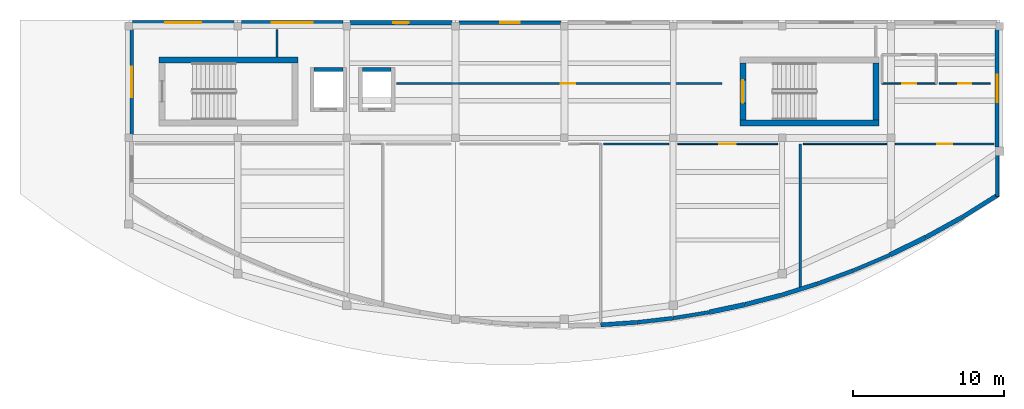
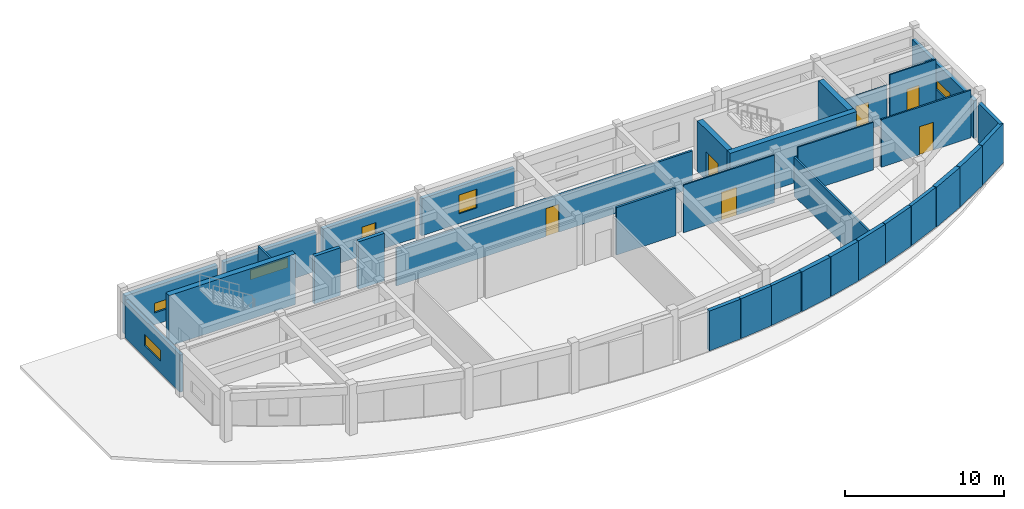
# One storey, part 3 of 6: 33 walls, 6 doors, 6 windows, 12 openings.
"""IFC4 building model written with IfcOpenShell, lengths in metres."""

from ifc_helpers import new_model, si_unit, direction, frame, frame_2d, origin, place, context, subcontext, project, spatial, rectangle, extrude, material, layer, layer_set, type_object, element, fill, save


model = new_model("IFC4")

# Units and contexts
model_context = context("Model", 3, precision=1e-05, world=origin(), true_north=direction((0.0, 1.0)))
body_context = subcontext(model_context, "Body", "Model", "MODEL_VIEW")
ifc_project = project(units=[si_unit("LENGTHUNIT", "METRE"), si_unit("AREAUNIT", "SQUARE_METRE"), si_unit("VOLUMEUNIT", "CUBIC_METRE"), si_unit("PLANEANGLEUNIT", "RADIAN"), si_unit("MASSUNIT", "GRAM", prefix="KILO")], contexts=[model_context])

# Site, building, storey
site_placement = place(None, origin())
site = spatial("IfcSite", under=ifc_project, at=site_placement, CompositionType="ELEMENT")
building_placement = place(site_placement, origin())
building = spatial("IfcBuilding", under=site, at=building_placement, Name="Brisavento Harbour Community Centre", CompositionType="ELEMENT")
storey_placement = place(building_placement, frame((0.0, 0.0, 20.699951171875)))
storey = spatial("IfcBuildingStorey", under=building, at=storey_placement, Name="L05", CompositionType="ELEMENT", Elevation=20.699951171875)

# Walls
ifc_material_1 = material(Name="Concrete C40/50", Category="concrete")
ifc_layer_1 = layer(ifc_material_1, 0.39990234375, Name="Concrete C40/50")
ifc_layer_set_1 = layer_set([ifc_layer_1], Name="Concrete C40/50")
wall_type_1 = type_object("IfcWallType", Name="WL-CORE-400", PredefinedType="SHEAR", material=ifc_layer_set_1)
for number, where, z_axis, x_axis, name in (
    (1, (126.39990234375, 20.14990234375, 0.0), (0.0, 0.0, 1.0), (-1.0, 0.0, 0.0), "L05 core C3A shear wall R"),
    (2, (155.60009765625, 16.0, 0.0), (0.0, 0.0, 1.0), (1.0, 0.0, 0.0), "L05 core C3B shear wall L"),
):
    element("IfcWall", number, at=place(storey_placement, frame(where, z_axis=z_axis, x_axis=x_axis)), inside=storey, type_object=wall_type_1, Name=name, PredefinedType="SHEAR", context=body_context, shape_type="SweptSolid", body=[
        extrude(rectangle(XDim=9.199951171875, YDim=0.39990234375, at=frame_2d((4.60009765625, 0.0))), origin(), (0.0, 0.0, 1.0), 3.900146484375),
    ])
wall_1_placement = place(storey_placement, frame((164.60009765625, 16.199951171875, 0.0), z_axis=(0.0, 0.0, 1.0), x_axis=(0.0, 1.0, 0.0)))
element("IfcWall", 3, at=wall_1_placement, inside=storey, type_object=wall_type_1, Name="L05 core C3B shear wall F", PredefinedType="SHEAR", context=body_context, shape_type="SweptSolid", body=[
    extrude(rectangle(XDim=3.75, YDim=0.39990234375, at=frame_2d((1.875, 0.0))), origin(), (0.0, 0.0, 1.0), 3.900146484375),
])

# Wall, opening, door
wall_2_placement = place(storey_placement, frame((155.800048828125, 19.949951171875, 0.0), z_axis=(0.0, 0.0, 1.0), x_axis=(0.0, -1.0, 0.0)))
wall_2 = element("IfcWall", 4, at=wall_2_placement, inside=storey, type_object=wall_type_1, Name="L05 core C3B shear wall N", PredefinedType="SHEAR", context=body_context, shape_type="SweptSolid", body=[
    extrude(rectangle(XDim=3.75, YDim=0.39990234375, at=frame_2d((1.875, 0.0))), origin(), (0.0, 0.0, 1.0), 3.900146484375),
])
opening_1_placement = place(wall_2_placement, frame((1.125, 0.0, 0.0)))
opening_1 = element("IfcOpeningElement", 5, at=opening_1_placement, cuts=wall_2, Name="Opening SD-01", PredefinedType="OPENING", context=body_context, shape_type="SweptSolid", body=[
    extrude(rectangle(XDim=1.5, YDim=2.199951171875, at=frame_2d((0.75, 1.10009765625))), frame((0.0, 0.2099609375, 0.0), z_axis=(0.0, -1.0, 0.0), x_axis=(1.0, 0.0, 0.0)), (0.0, 0.0, 1.0), 0.419921875),
])
ifc_material_2 = material(Name="Fire-rated steel door assembly", Category="steel")
door_type_1 = type_object("IfcDoorType", Name="DR-STAIR-150x220", OperationType="NOTDEFINED", PredefinedType="DOOR", material=ifc_material_2)
door_1_placement = place(opening_1_placement, origin())
door_1 = element("IfcDoor", 6, at=door_1_placement, inside=storey, type_object=door_type_1, Name="L05 exit stair ST-05 fire door", OperationType="SINGLE_SWING_RIGHT", OverallHeight=2.199951171875, OverallWidth=1.5, PredefinedType="DOOR", context=body_context, shape_type="SweptSolid", body=[
    extrude(rectangle(XDim=1.5, YDim=2.199951171875, at=frame_2d((0.75, 1.10009765625))), frame((0.0, 0.02490234375, 0.0), z_axis=(0.0, -1.0, 0.0), x_axis=(1.0, 0.0, 0.0)), (0.0, 0.0, 1.0), 0.050048828125),
])
fill(opening_1, door_1)

# Walls
ifc_material_3 = material(Name="Terracotta masonry unit", Category="masonry")
ifc_layer_2 = layer(ifc_material_3, 0.239990234375, Name="Terracotta masonry unit")
ifc_layer_set_2 = layer_set([ifc_layer_2], Name="Terracotta masonry unit")
wall_type_2 = type_object("IfcWallType", Name="WL-EXT-240", PredefinedType="SOLIDWALL", material=ifc_layer_set_2)
wall_3_placement = place(storey_placement, frame((153.552978515625, 3.468505859375, 0.0), z_axis=(0.0, 0.0, 1.0), x_axis=(-0.986852722913, -0.161622100221, 0.0)))
element("IfcWall", 7, at=wall_3_placement, inside=storey, type_object=wall_type_2, Name="L05 V3 exterior wall 0358", PredefinedType="SOLIDWALL", context=body_context, shape_type="SweptSolid", body=[
    extrude(rectangle(XDim=2.395751953125, YDim=0.239990234375, at=frame_2d((1.19775390625, 0.0))), origin(), (0.0, 0.0, 1.0), 3.06005859375),
])
wall_4_placement = place(storey_placement, frame((165.5126953125, 7.2568359375, 0.0), z_axis=(0.0, 0.0, 1.0), x_axis=(-0.919781821174, -0.392430123001, 0.0)))
element("IfcWall", 8, at=wall_4_placement, inside=storey, type_object=wall_type_2, Name="L05 V3 exterior wall 0363", PredefinedType="SOLIDWALL", context=body_context, shape_type="SweptSolid", body=[
    extrude(rectangle(XDim=2.572998046875, YDim=0.239990234375, at=frame_2d((1.28662109375, 0.0))), origin(), (0.0, 0.0, 1.0), 3.06005859375),
])
wall_5_placement = place(storey_placement, frame((172.6201171875, 13.867919921875, 0.0), z_axis=(0.0, 0.0, 1.0), x_axis=(0.0, -1.0, 0.0)))
element("IfcWall", 9, at=wall_5_placement, inside=storey, type_object=wall_type_2, Name="L05 V3 exterior wall 0368", PredefinedType="SOLIDWALL", context=body_context, shape_type="SweptSolid", body=[
    extrude(rectangle(XDim=2.74609375, YDim=0.239990234375, at=frame_2d((1.373046875, 0.0))), origin(), (0.0, 0.0, 1.0), 3.06005859375),
])

# Wall, opening, window
wall_6_placement = place(storey_placement, frame((115.3798828125, 15.235107421875, 0.0), z_axis=(0.0, 0.0, 1.0), x_axis=(0.0, 1.0, 0.0)))
wall_6 = element("IfcWall", 10, at=wall_6_placement, inside=storey, type_object=wall_type_2, Name="L05 V3 exterior wall 0378", PredefinedType="SOLIDWALL", context=body_context, shape_type="SweptSolid", body=[
    extrude(rectangle(XDim=6.929931640625, YDim=0.239990234375, at=frame_2d((3.46484375, 0.0))), origin(), (0.0, 0.0, 1.0), 2.860107421875),
])
opening_2_placement = place(wall_6_placement, frame((2.465087890625, 0.0, 0.89990234375)))
opening_2 = element("IfcOpeningElement", 11, at=opening_2_placement, cuts=wall_6, Name="Opening W-36", PredefinedType="OPENING", context=body_context, shape_type="SweptSolid", body=[
    extrude(rectangle(XDim=2.0, YDim=0.85009765625, at=frame_2d((1.0, 0.425048828125))), frame((0.0, 0.1298828125, 0.0), z_axis=(0.0, -1.0, 0.0), x_axis=(1.0, 0.0, 0.0)), (0.0, 0.0, 1.0), 0.260009765625),
])
ifc_material_4 = material(Name="Solar-control laminated low-E glass", Category="glass")
window_type_1 = type_object("IfcWindowType", Name="WIN-CAS-36", PartitioningType="SINGLE_PANEL", PredefinedType="WINDOW", material=ifc_material_4)
window_1_placement = place(opening_2_placement, origin())
window_1 = element("IfcWindow", 12, at=window_1_placement, inside=storey, type_object=window_type_1, Name="L05 V3 impact casement window 0216", OverallHeight=0.85009765625, OverallWidth=2.0, PartitioningType="SINGLE_PANEL", PredefinedType="WINDOW", context=body_context, shape_type="SweptSolid", body=[
    extrude(rectangle(XDim=2.0, YDim=0.85009765625, at=frame_2d((1.0, 0.425048828125))), frame((0.0, 0.030029296875, 0.0), z_axis=(0.0, -1.0, 0.0), x_axis=(1.0, 0.0, 0.0)), (0.0, 0.0, 1.0), 0.06005859375),
])
fill(opening_2, window_1)

# Walls
ifc_layer_3 = layer(ifc_material_3, 0.260009765625, Name="Terracotta masonry unit")
ifc_layer_set_3 = layer_set([ifc_layer_3], Name="Terracotta masonry unit")
wall_type_3 = type_object("IfcWallType", Name="WL-EXT-260", PredefinedType="SOLIDWALL", material=ifc_layer_set_3)
wall_7_placement = place(storey_placement, frame((151.161376953125, 3.07763671875, 0.0), z_axis=(0.0, 0.0, 1.0), x_axis=(-0.993319690017, -0.115394945402, 0.0)))
element("IfcWall", 13, at=wall_7_placement, inside=storey, type_object=wall_type_3, Name="L05 V3 exterior wall 0357", PredefinedType="SOLIDWALL", context=body_context, shape_type="SweptSolid", body=[
    extrude(rectangle(XDim=2.380126953125, YDim=0.260009765625, at=frame_2d((1.18994140625, 0.0))), origin(), (0.0, 0.0, 1.0), 3.06005859375),
])
wall_8_placement = place(storey_placement, frame((163.120849609375, 6.237060546875, 0.0), z_axis=(0.0, 0.0, 1.0), x_axis=(-0.938146303957, -0.346239097117, 0.0)))
element("IfcWall", 14, at=wall_8_placement, inside=storey, type_object=wall_type_3, Name="L05 V3 exterior wall 0362", PredefinedType="SOLIDWALL", context=body_context, shape_type="SweptSolid", body=[
    extrude(rectangle(XDim=2.522216796875, YDim=0.260009765625, at=frame_2d((1.26123046875, 0.0))), origin(), (0.0, 0.0, 1.0), 3.06005859375),
])

# Wall, opening, window
wall_9_placement = place(storey_placement, frame((172.6201171875, 22.1650390625, 0.0), z_axis=(0.0, 0.0, 1.0), x_axis=(0.0, -1.0, 0.0)))
wall_9 = element("IfcWall", 15, at=wall_9_placement, inside=storey, type_object=wall_type_3, Name="L05 V3 exterior wall 0367", PredefinedType="SOLIDWALL", context=body_context, shape_type="SweptSolid", body=[
    extrude(rectangle(XDim=7.777099609375, YDim=0.260009765625, at=frame_2d((3.888671875, 0.0))), origin(), (0.0, 0.0, 1.0), 2.900146484375),
])
opening_3_placement = place(wall_9_placement, frame((2.988525390625, 0.0, 0.89990234375)))
opening_3 = element("IfcOpeningElement", 16, at=opening_3_placement, cuts=wall_9, Name="Opening W-25", PredefinedType="OPENING", context=body_context, shape_type="SweptSolid", body=[
    extrude(rectangle(XDim=1.800048828125, YDim=0.75, at=frame_2d((0.89990234375, 0.375))), frame((0.0, 0.14013671875, 0.0), z_axis=(0.0, -1.0, 0.0), x_axis=(1.0, 0.0, 0.0)), (0.0, 0.0, 1.0), 0.280029296875),
])
window_type_2 = type_object("IfcWindowType", Name="WIN-CAS-25", PartitioningType="SINGLE_PANEL", PredefinedType="WINDOW", material=ifc_material_4)
window_2_placement = place(opening_3_placement, origin())
window_2 = element("IfcWindow", 17, at=window_2_placement, inside=storey, type_object=window_type_2, Name="L05 V3 impact casement window 0205", OverallHeight=0.75, OverallWidth=1.800048828125, PartitioningType="SINGLE_PANEL", PredefinedType="WINDOW", context=body_context, shape_type="SweptSolid", body=[
    extrude(rectangle(XDim=1.800048828125, YDim=0.75, at=frame_2d((0.89990234375, 0.375))), frame((0.0, 0.030029296875, 0.0), z_axis=(0.0, -1.0, 0.0), x_axis=(1.0, 0.0, 0.0)), (0.0, 0.0, 1.0), 0.06005859375),
])
fill(opening_3, window_2)

wall_10_placement = place(storey_placement, frame((137.034912109375, 22.6201171875, 0.0), z_axis=(0.0, 0.0, 1.0), x_axis=(1.0, 0.0, 0.0)))
wall_10 = element("IfcWall", 18, at=wall_10_placement, inside=storey, type_object=wall_type_3, Name="L05 V3 exterior wall 0372", PredefinedType="SOLIDWALL", context=body_context, shape_type="SweptSolid", body=[
    extrude(rectangle(XDim=6.72998046875, YDim=0.260009765625, at=frame_2d((3.364990234375, 0.0))), origin(), (0.0, 0.0, 1.0), 2.860107421875),
])
opening_4_placement = place(wall_10_placement, frame((2.715087890625, 0.0, 0.75)))
opening_4 = element("IfcOpeningElement", 19, at=opening_4_placement, cuts=wall_10, Name="Opening W-30", PredefinedType="OPENING", context=body_context, shape_type="SweptSolid", body=[
    extrude(rectangle(XDim=1.300048828125, YDim=1.449951171875, at=frame_2d((0.64990234375, 0.72509765625))), frame((0.0, 0.14013671875, 0.0), z_axis=(0.0, -1.0, 0.0), x_axis=(1.0, 0.0, 0.0)), (0.0, 0.0, 1.0), 0.280029296875),
])
window_type_3 = type_object("IfcWindowType", Name="WIN-CAS-30", PartitioningType="SINGLE_PANEL", PredefinedType="WINDOW", material=ifc_material_4)
window_3_placement = place(opening_4_placement, origin())
window_3 = element("IfcWindow", 20, at=window_3_placement, inside=storey, type_object=window_type_3, Name="L05 V3 impact casement window 0210", OverallHeight=1.449951171875, OverallWidth=1.300048828125, PartitioningType="SINGLE_PANEL", PredefinedType="WINDOW", context=body_context, shape_type="SweptSolid", body=[
    extrude(rectangle(XDim=1.300048828125, YDim=1.449951171875, at=frame_2d((0.64990234375, 0.72509765625))), frame((0.0, 0.030029296875, 0.0), z_axis=(0.0, -1.0, 0.0), x_axis=(1.0, 0.0, 0.0)), (0.0, 0.0, 1.0), 0.06005859375),
])
fill(opening_4, window_3)

# Walls
ifc_material_5 = material(Name="Precast concrete C40/50", Category="concrete")
ifc_layer_4 = layer(ifc_material_5, 0.280029296875, Name="Precast concrete C40/50")
ifc_layer_set_4 = layer_set([ifc_layer_4], Name="Precast concrete C40/50")
wall_type_4 = type_object("IfcWallType", Name="WL-EXT-280", PredefinedType="SOLIDWALL", material=ifc_layer_set_4)
wall_11_placement = place(storey_placement, frame((148.76953125, 2.80029296875, 0.0), z_axis=(0.0, 0.0, 1.0), x_axis=(-0.997600485651, -0.069233453099, 0.0)))
element("IfcWall", 21, at=wall_11_placement, inside=storey, type_object=wall_type_4, Name="L05 V3 exterior wall 0356", PredefinedType="SOLIDWALL", context=body_context, shape_type="SweptSolid", body=[
    extrude(rectangle(XDim=2.36962890625, YDim=0.280029296875, at=frame_2d((1.184814453125, 0.0))), origin(), (0.0, 0.0, 1.0), 3.06005859375),
])
wall_12_placement = place(storey_placement, frame((160.728759765625, 5.35498046875, 0.0), z_axis=(0.0, 0.0, 1.0), x_axis=(-0.953884231724, -0.30017473656, 0.0)))
element("IfcWall", 22, at=wall_12_placement, inside=storey, type_object=wall_type_4, Name="L05 V3 exterior wall 0361", PredefinedType="SOLIDWALL", context=body_context, shape_type="SweptSolid", body=[
    extrude(rectangle(XDim=2.479736328125, YDim=0.280029296875, at=frame_2d((1.23974609375, 0.0))), origin(), (0.0, 0.0, 1.0), 3.06005859375),
])
wall_13_placement = place(storey_placement, frame((172.689208984375, 11.24658203125, 0.0), z_axis=(0.0, 0.0, 1.0), x_axis=(-0.847458290903, -0.530861983174, 0.0)))
element("IfcWall", 23, at=wall_13_placement, inside=storey, type_object=wall_type_4, Name="L05 V3 exterior wall 0366", PredefinedType="SOLIDWALL", context=body_context, shape_type="SweptSolid", body=[
    extrude(rectangle(XDim=2.796142578125, YDim=0.280029296875, at=frame_2d((1.39794921875, 0.0))), origin(), (0.0, 0.0, 1.0), 3.06005859375),
])

# Wall, opening, window
wall_14_placement = place(storey_placement, frame((129.8349609375, 22.6201171875, 0.0), z_axis=(0.0, 0.0, 1.0), x_axis=(1.0, 0.0, 0.0)))
wall_14 = element("IfcWall", 24, at=wall_14_placement, inside=storey, type_object=wall_type_4, Name="L05 V3 exterior wall 0371", PredefinedType="SOLIDWALL", context=body_context, shape_type="SweptSolid", body=[
    extrude(rectangle(XDim=6.72998046875, YDim=0.280029296875, at=frame_2d((3.364990234375, 0.0))), origin(), (0.0, 0.0, 1.0), 3.06005859375),
])
opening_5_placement = place(wall_14_placement, frame((2.864990234375, 0.0, 0.75)))
opening_5 = element("IfcOpeningElement", 25, at=opening_5_placement, cuts=wall_14, Name="Opening W-29", PredefinedType="OPENING", context=body_context, shape_type="SweptSolid", body=[
    extrude(rectangle(XDim=1.0, YDim=1.449951171875, at=frame_2d((0.5, 0.72509765625))), frame((0.0, 0.14990234375, 0.0), z_axis=(0.0, -1.0, 0.0), x_axis=(1.0, 0.0, 0.0)), (0.0, 0.0, 1.0), 0.300048828125),
])
window_type_4 = type_object("IfcWindowType", Name="WIN-CAS-29", PartitioningType="SINGLE_PANEL", PredefinedType="WINDOW", material=ifc_material_4)
window_4_placement = place(opening_5_placement, origin())
window_4 = element("IfcWindow", 26, at=window_4_placement, inside=storey, type_object=window_type_4, Name="L05 V3 impact casement window 0209", OverallHeight=1.449951171875, OverallWidth=1.0, PartitioningType="SINGLE_PANEL", PredefinedType="WINDOW", context=body_context, shape_type="SweptSolid", body=[
    extrude(rectangle(XDim=1.0, YDim=1.449951171875, at=frame_2d((0.5, 0.72509765625))), frame((0.0, 0.030029296875, 0.0), z_axis=(0.0, -1.0, 0.0), x_axis=(1.0, 0.0, 0.0)), (0.0, 0.0, 1.0), 0.06005859375),
])
fill(opening_5, window_4)

# Walls
ifc_material_6 = material(Name="Concrete C35/45", Category="concrete")
ifc_layer_5 = layer(ifc_material_6, 0.300048828125, Name="Concrete C35/45")
ifc_layer_set_5 = layer_set([ifc_layer_5], Name="Concrete C35/45")
wall_type_5 = type_object("IfcWallType", Name="WL-EXT-300", PredefinedType="SOLIDWALL", material=ifc_layer_set_5)
wall_15_placement = place(storey_placement, frame((158.3369140625, 4.60302734375, 0.0), z_axis=(0.0, 0.0, 1.0), x_axis=(-0.967257930518, -0.253795381852, 0.0)))
element("IfcWall", 27, at=wall_15_placement, inside=storey, type_object=wall_type_5, Name="L05 V3 exterior wall 0360", PredefinedType="SOLIDWALL", context=body_context, shape_type="SweptSolid", body=[
    extrude(rectangle(XDim=2.4453125, YDim=0.300048828125, at=frame_2d((1.22265625, 0.0))), origin(), (0.0, 0.0, 1.0), 3.06005859375),
])
wall_16_placement = place(storey_placement, frame((170.297119140625, 9.748779296875, 0.0), z_axis=(0.0, 0.0, 1.0), x_axis=(-0.874616129919, -0.484816073666, 0.0)))
element("IfcWall", 28, at=wall_16_placement, inside=storey, type_object=wall_type_5, Name="L05 V3 exterior wall 0365", PredefinedType="SOLIDWALL", context=body_context, shape_type="SweptSolid", body=[
    extrude(rectangle(XDim=2.708251953125, YDim=0.300048828125, at=frame_2d((1.35400390625, 0.0))), origin(), (0.0, 0.0, 1.0), 3.06005859375),
])

# Wall, opening, window
wall_17_placement = place(storey_placement, frame((122.635009765625, 22.6201171875, 0.0), z_axis=(0.0, 0.0, 1.0), x_axis=(1.0, 0.0, 0.0)))
wall_17 = element("IfcWall", 29, at=wall_17_placement, inside=storey, type_object=wall_type_5, Name="L05 V3 exterior wall 0370", PredefinedType="SOLIDWALL", context=body_context, shape_type="SweptSolid", body=[
    extrude(rectangle(XDim=6.72998046875, YDim=0.300048828125, at=frame_2d((3.364990234375, 0.0))), origin(), (0.0, 0.0, 1.0), 3.010009765625),
])
opening_6_placement = place(wall_17_placement, frame((2.014892578125, 0.0, 0.89990234375)))
opening_6 = element("IfcOpeningElement", 30, at=opening_6_placement, cuts=wall_17, Name="Opening W-28", PredefinedType="OPENING", context=body_context, shape_type="SweptSolid", body=[
    extrude(rectangle(XDim=2.699951171875, YDim=0.75, at=frame_2d((1.35009765625, 0.375))), frame((0.0, 0.16015625, 0.0), z_axis=(0.0, -1.0, 0.0), x_axis=(1.0, 0.0, 0.0)), (0.0, 0.0, 1.0), 0.320068359375),
])
window_type_5 = type_object("IfcWindowType", Name="WIN-CAS-28", PartitioningType="SINGLE_PANEL", PredefinedType="WINDOW", material=ifc_material_4)
window_5_placement = place(opening_6_placement, origin())
window_5 = element("IfcWindow", 31, at=window_5_placement, inside=storey, type_object=window_type_5, Name="L05 V3 impact casement window 0208", OverallHeight=0.75, OverallWidth=2.699951171875, PartitioningType="SINGLE_PANEL", PredefinedType="WINDOW", context=body_context, shape_type="SweptSolid", body=[
    extrude(rectangle(XDim=2.699951171875, YDim=0.75, at=frame_2d((1.35009765625, 0.375))), frame((0.0, 0.030029296875, 0.0), z_axis=(0.0, -1.0, 0.0), x_axis=(1.0, 0.0, 0.0)), (0.0, 0.0, 1.0), 0.06005859375),
])
fill(opening_6, window_5)

# Walls
ifc_layer_6 = layer(ifc_material_6, 0.320068359375, Name="Concrete C35/45")
ifc_layer_set_6 = layer_set([ifc_layer_6], Name="Concrete C35/45")
wall_type_6 = type_object("IfcWallType", Name="WL-EXT-320", PredefinedType="SOLIDWALL", material=ifc_layer_set_6)
wall_18_placement = place(storey_placement, frame((155.945068359375, 3.975830078125, 0.0), z_axis=(0.0, 0.0, 1.0), x_axis=(-0.978189380311, -0.207715036162, 0.0)))
element("IfcWall", 32, at=wall_18_placement, inside=storey, type_object=wall_type_6, Name="L05 V3 exterior wall 0359", PredefinedType="SOLIDWALL", context=body_context, shape_type="SweptSolid", body=[
    extrude(rectangle(XDim=2.417724609375, YDim=0.320068359375, at=frame_2d((1.208984375, 0.0))), origin(), (0.0, 0.0, 1.0), 3.06005859375),
])
wall_19_placement = place(storey_placement, frame((167.90478515625, 8.423583984375, 0.0), z_axis=(0.0, 0.0, 1.0), x_axis=(-0.898667775588, -0.438629945535, 0.0)))
element("IfcWall", 33, at=wall_19_placement, inside=storey, type_object=wall_type_6, Name="L05 V3 exterior wall 0364", PredefinedType="SOLIDWALL", context=body_context, shape_type="SweptSolid", body=[
    extrude(rectangle(XDim=2.63427734375, YDim=0.320068359375, at=frame_2d((1.317138671875, 0.0))), origin(), (0.0, 0.0, 1.0), 3.06005859375),
])

# Wall, opening, window
wall_20_placement = place(storey_placement, frame((115.43505859375, 22.6201171875, 0.0), z_axis=(0.0, 0.0, 1.0), x_axis=(1.0, 0.0, 0.0)))
wall_20 = element("IfcWall", 34, at=wall_20_placement, inside=storey, type_object=wall_type_6, Name="L05 V3 exterior wall 0369", PredefinedType="SOLIDWALL", context=body_context, shape_type="SweptSolid", body=[
    extrude(rectangle(XDim=6.72998046875, YDim=0.320068359375, at=frame_2d((3.364990234375, 0.0))), origin(), (0.0, 0.0, 1.0), 2.9599609375),
])
opening_7_placement = place(wall_20_placement, frame((2.1650390625, 0.0, 0.89990234375)))
opening_7 = element("IfcOpeningElement", 35, at=opening_7_placement, cuts=wall_20, Name="Opening W-27", PredefinedType="OPENING", context=body_context, shape_type="SweptSolid", body=[
    extrude(rectangle(XDim=2.39990234375, YDim=0.75, at=frame_2d((1.199951171875, 0.375))), frame((0.0, 0.169921875, 0.0), z_axis=(0.0, -1.0, 0.0), x_axis=(1.0, 0.0, 0.0)), (0.0, 0.0, 1.0), 0.340087890625),
])
window_type_6 = type_object("IfcWindowType", Name="WIN-CAS-27", PartitioningType="SINGLE_PANEL", PredefinedType="WINDOW", material=ifc_material_4)
window_6_placement = place(opening_7_placement, origin())
window_6 = element("IfcWindow", 36, at=window_6_placement, inside=storey, type_object=window_type_6, Name="L05 V3 impact casement window 0207", OverallHeight=0.75, OverallWidth=2.39990234375, PartitioningType="SINGLE_PANEL", PredefinedType="WINDOW", context=body_context, shape_type="SweptSolid", body=[
    extrude(rectangle(XDim=2.39990234375, YDim=0.75, at=frame_2d((1.199951171875, 0.375))), frame((0.0, 0.030029296875, 0.0), z_axis=(0.0, -1.0, 0.0), x_axis=(1.0, 0.0, 0.0)), (0.0, 0.0, 1.0), 0.06005859375),
])
fill(opening_7, window_6)

# Wall, opening, door
ifc_material_7 = material(Name="Lightweight stud partition", Category="other")
ifc_layer_7 = layer(ifc_material_7, 0.10009765625, Name="Lightweight stud partition")
ifc_layer_set_7 = layer_set([ifc_layer_7], Name="Lightweight stud partition")
wall_type_7 = type_object("IfcWallType", Name="WL-PRT-100", PredefinedType="PARTITIONING", material=ifc_layer_set_7)
wall_21_placement = place(storey_placement, frame((158.110107421875, 14.60009765625, 0.0), z_axis=(0.0, 0.0, 1.0), x_axis=(-1.0, 0.0, 0.0)))
wall_21 = element("IfcWall", 37, at=wall_21_placement, inside=storey, type_object=wall_type_7, Name="L05 Civic Seminar Room 501 partition 0311", PredefinedType="PARTITIONING", context=body_context, shape_type="SweptSolid", body=[
    extrude(rectangle(XDim=6.6201171875, YDim=0.10009765625, at=frame_2d((3.31005859375, 0.0))), origin(), (0.0, 0.0, 1.0), 3.66015625),
])
opening_8_placement = place(wall_21_placement, frame((2.760009765625, 0.0, 0.0)))
opening_8 = element("IfcOpeningElement", 38, at=opening_8_placement, cuts=wall_21, Name="Opening ID-08", PredefinedType="OPENING", context=body_context, shape_type="SweptSolid", body=[
    extrude(rectangle(XDim=1.10009765625, YDim=2.14990234375, at=frame_2d((0.550048828125, 1.074951171875))), frame((0.0, 0.06005859375, 0.0), z_axis=(0.0, -1.0, 0.0), x_axis=(1.0, 0.0, 0.0)), (0.0, 0.0, 1.0), 0.1201171875),
])
ifc_material_8 = material(Name="Solid-core tropical timber door", Category="wood")
door_type_2 = type_object("IfcDoorType", Name="DR-INT-110x215", OperationType="NOTDEFINED", PredefinedType="DOOR", material=ifc_material_8)
door_2_placement = place(opening_8_placement, origin())
door_2 = element("IfcDoor", 39, at=door_2_placement, inside=storey, type_object=door_type_2, Name="L05 Civic Seminar Room 501 door 0118", OperationType="SINGLE_SWING_LEFT", OverallHeight=2.14990234375, OverallWidth=1.10009765625, PredefinedType="DOOR", context=body_context, shape_type="SweptSolid", body=[
    extrude(rectangle(XDim=1.10009765625, YDim=2.14990234375, at=frame_2d((0.550048828125, 1.074951171875))), frame((0.0, 0.02490234375, 0.0), z_axis=(0.0, -1.0, 0.0), x_axis=(1.0, 0.0, 0.0)), (0.0, 0.0, 1.0), 0.050048828125),
])
fill(opening_8, door_2)

# Wall
wall_22_placement = place(storey_placement, frame((165.31005859375, 14.60009765625, 0.0), z_axis=(0.0, 0.0, 1.0), x_axis=(-1.0, 0.0, 0.0)))
element("IfcWall", 40, at=wall_22_placement, inside=storey, type_object=wall_type_7, Name="L05 Belvedere Refreshment Lounge partition 0315", PredefinedType="PARTITIONING", context=body_context, shape_type="SweptSolid", body=[
    extrude(rectangle(XDim=5.510009765625, YDim=0.10009765625, at=frame_2d((2.7548828125, 0.0))), origin(), (0.0, 0.0, 1.0), 3.66015625),
])

# Wall, opening, door
wall_23_placement = place(storey_placement, frame((165.0, 18.60009765625, 0.0), z_axis=(0.0, 0.0, 1.0), x_axis=(1.0, 0.0, 0.0)))
wall_23 = element("IfcWall", 41, at=wall_23_placement, inside=storey, type_object=wall_type_7, Name="L05 Male WC L05 partition 0319", PredefinedType="PARTITIONING", context=body_context, shape_type="SweptSolid", body=[
    extrude(rectangle(XDim=3.60009765625, YDim=0.10009765625, at=frame_2d((1.800048828125, 0.0))), origin(), (0.0, 0.0, 1.0), 2.91015625),
])
opening_9_placement = place(wall_23_placement, frame((1.340087890625, 0.0, 0.0)))
opening_9 = element("IfcOpeningElement", 42, at=opening_9_placement, cuts=wall_23, Name="Opening WD-01", PredefinedType="OPENING", context=body_context, shape_type="SweptSolid", body=[
    extrude(rectangle(XDim=0.919921875, YDim=2.10009765625, at=frame_2d((0.4599609375, 1.050048828125))), frame((0.0, 0.06005859375, 0.0), z_axis=(0.0, -1.0, 0.0), x_axis=(1.0, 0.0, 0.0)), (0.0, 0.0, 1.0), 0.1201171875),
])
ifc_material_9 = material(Name="Moisture-resistant laminate door", Category="other")
door_type_3 = type_object("IfcDoorType", Name="DR-WC-092x210", OperationType="NOTDEFINED", PredefinedType="DOOR", material=ifc_material_9)
door_3_placement = place(opening_9_placement, origin())
door_3 = element("IfcDoor", 43, at=door_3_placement, inside=storey, type_object=door_type_3, Name="L05 Male WC L05 door 0121", OperationType="SINGLE_SWING_RIGHT", OverallHeight=2.10009765625, OverallWidth=0.919921875, PredefinedType="DOOR", context=body_context, shape_type="SweptSolid", body=[
    extrude(rectangle(XDim=0.919921875, YDim=2.10009765625, at=frame_2d((0.4599609375, 1.050048828125))), frame((0.0, 0.02490234375, 0.0), z_axis=(0.0, -1.0, 0.0), x_axis=(1.0, 0.0, 0.0)), (0.0, 0.0, 1.0), 0.050048828125),
])
fill(opening_9, door_3)

wall_24_placement = place(storey_placement, frame((168.800048828125, 18.60009765625, 0.0), z_axis=(0.0, 0.0, 1.0), x_axis=(1.0, 0.0, 0.0)))
wall_24 = element("IfcWall", 44, at=wall_24_placement, inside=storey, type_object=wall_type_7, Name="L05 Female WC L05 partition 0323", PredefinedType="PARTITIONING", context=body_context, shape_type="SweptSolid", body=[
    extrude(rectangle(XDim=3.369873046875, YDim=0.10009765625, at=frame_2d((1.68505859375, 0.0))), origin(), (0.0, 0.0, 1.0), 3.66015625),
])
opening_10_placement = place(wall_24_placement, frame((1.2451171875, 0.0, 0.0)))
opening_10 = element("IfcOpeningElement", 45, at=opening_10_placement, cuts=wall_24, Name="Opening WD-02", PredefinedType="OPENING", context=body_context, shape_type="SweptSolid", body=[
    extrude(rectangle(XDim=0.8798828125, YDim=2.10009765625, at=frame_2d((0.43994140625, 1.050048828125))), frame((0.0, 0.06005859375, 0.0), z_axis=(0.0, -1.0, 0.0), x_axis=(1.0, 0.0, 0.0)), (0.0, 0.0, 1.0), 0.1201171875),
])
door_type_4 = type_object("IfcDoorType", Name="DR-WC-088x210", OperationType="NOTDEFINED", PredefinedType="DOOR", material=ifc_material_9)
door_4_placement = place(opening_10_placement, origin())
door_4 = element("IfcDoor", 46, at=door_4_placement, inside=storey, type_object=door_type_4, Name="L05 Female WC L05 door 0122", OperationType="SINGLE_SWING_LEFT", OverallHeight=2.10009765625, OverallWidth=0.8798828125, PredefinedType="DOOR", context=body_context, shape_type="SweptSolid", body=[
    extrude(rectangle(XDim=0.8798828125, YDim=2.10009765625, at=frame_2d((0.43994140625, 1.050048828125))), frame((0.0, 0.02490234375, 0.0), z_axis=(0.0, -1.0, 0.0), x_axis=(1.0, 0.0, 0.0)), (0.0, 0.0, 1.0), 0.050048828125),
])
fill(opening_10, door_4)

ifc_material_10 = material(Name="Gypsum metal-stud partition", Category="other")
ifc_layer_8 = layer(ifc_material_10, 0.1201171875, Name="Gypsum metal-stud partition")
ifc_layer_set_8 = layer_set([ifc_layer_8], Name="Gypsum metal-stud partition")
wall_type_8 = type_object("IfcWallType", Name="WL-PRT-120", PredefinedType="PARTITIONING", material=ifc_layer_set_8)
wall_25_placement = place(storey_placement, frame((172.39990234375, 14.60009765625, 0.0), z_axis=(0.0, 0.0, 1.0), x_axis=(-1.0, 0.0, 0.0)))
wall_25 = element("IfcWall", 47, at=wall_25_placement, inside=storey, type_object=wall_type_8, Name="L05 Belvedere Refreshment Lounge partition 0314", PredefinedType="PARTITIONING", context=body_context, shape_type="SweptSolid", body=[
    extrude(rectangle(XDim=6.510009765625, YDim=0.1201171875, at=frame_2d((3.2548828125, 0.0))), origin(), (0.0, 0.0, 1.0), 3.66015625),
])
opening_11_placement = place(wall_25_placement, frame((2.7548828125, 0.0, 0.0)))
opening_11 = element("IfcOpeningElement", 48, at=opening_11_placement, cuts=wall_25, Name="Opening ID-09", PredefinedType="OPENING", context=body_context, shape_type="SweptSolid", body=[
    extrude(rectangle(XDim=1.0, YDim=2.14990234375, at=frame_2d((0.5, 1.074951171875))), frame((0.0, 0.070068359375, 0.0), z_axis=(0.0, -1.0, 0.0), x_axis=(1.0, 0.0, 0.0)), (0.0, 0.0, 1.0), 0.14013671875),
])
door_type_5 = type_object("IfcDoorType", Name="DR-INT-100x215", OperationType="NOTDEFINED", PredefinedType="DOOR", material=ifc_material_8)
door_5_placement = place(opening_11_placement, origin())
door_5 = element("IfcDoor", 49, at=door_5_placement, inside=storey, type_object=door_type_5, Name="L05 Belvedere Refreshment Lounge door 0119", OperationType="SINGLE_SWING_RIGHT", OverallHeight=2.14990234375, OverallWidth=1.0, PredefinedType="DOOR", context=body_context, shape_type="SweptSolid", body=[
    extrude(rectangle(XDim=1.0, YDim=2.14990234375, at=frame_2d((0.5, 1.074951171875))), frame((0.0, 0.02490234375, 0.0), z_axis=(0.0, -1.0, 0.0), x_axis=(1.0, 0.0, 0.0)), (0.0, 0.0, 1.0), 0.050048828125),
])
fill(opening_11, door_5)

# Walls
ifc_layer_9 = layer(ifc_material_10, 0.139892578125, Name="Gypsum metal-stud partition")
ifc_layer_set_9 = layer_set([ifc_layer_9], Name="Gypsum metal-stud partition")
wall_type_9 = type_object("IfcWallType", Name="WL-PRT-140", PredefinedType="PARTITIONING", material=ifc_layer_set_9)
wall_26_placement = place(storey_placement, frame((159.60009765625, 4.9580078125, 0.0), z_axis=(0.0, 0.0, 1.0), x_axis=(0.0, 1.0, 0.0)))
element("IfcWall", 50, at=wall_26_placement, inside=storey, type_object=wall_type_9, Name="L05 Civic Seminar Room 501 partition 0313", PredefinedType="PARTITIONING", context=body_context, shape_type="SweptSolid", body=[
    extrude(rectangle(XDim=9.64208984375, YDim=0.139892578125, at=frame_2d((4.821044921875, 0.0))), origin(), (0.0, 0.0, 1.0), 2.97998046875),
])
wall_27_placement = place(storey_placement, frame((125.0, 22.169921875, 0.0), z_axis=(0.0, 0.0, 1.0), x_axis=(0.0, -1.0, 0.0)))
element("IfcWall", 51, at=wall_27_placement, inside=storey, type_object=wall_type_9, Name="L05 Digital Archive Reading Study partition 0317", PredefinedType="PARTITIONING", context=body_context, shape_type="SweptSolid", body=[
    extrude(rectangle(XDim=1.809814453125, YDim=0.139892578125, at=frame_2d((0.90478515625, 0.0))), origin(), (0.0, 0.0, 1.0), 3.66015625),
])
ifc_material_11 = material(Name="Moisture-resistant stud partition", Category="other")
ifc_layer_10 = layer(ifc_material_11, 0.14990234375, Name="Moisture-resistant stud partition")
ifc_layer_set_10 = layer_set([ifc_layer_10], Name="Moisture-resistant stud partition")
wall_type_10 = type_object("IfcWallType", Name="WL-PRT-150", PredefinedType="PARTITIONING", material=ifc_layer_set_10)
wall_28_placement = place(storey_placement, frame((150.909912109375, 14.60009765625, 0.0), z_axis=(0.0, 0.0, 1.0), x_axis=(-1.0, 0.0, 0.0)))
element("IfcWall", 52, at=wall_28_placement, inside=storey, type_object=wall_type_10, Name="L05 Civic Seminar Room 501 partition 0312", PredefinedType="PARTITIONING", context=body_context, shape_type="SweptSolid", body=[
    extrude(rectangle(XDim=4.309814453125, YDim=0.14990234375, at=frame_2d((2.15478515625, 0.0))), origin(), (0.0, 0.0, 1.0), 3.66015625),
])

# Wall, opening, door
wall_29_placement = place(storey_placement, frame((132.909912109375, 18.60009765625, 0.0), z_axis=(0.0, 0.0, 1.0), x_axis=(1.0, 0.0, 0.0)))
wall_29 = element("IfcWall", 53, at=wall_29_placement, inside=storey, type_object=wall_type_10, Name="L05 Digital Archive Reading Study partition 0316", PredefinedType="PARTITIONING", context=body_context, shape_type="SweptSolid", body=[
    extrude(rectangle(XDim=21.530029296875, YDim=0.14990234375, at=frame_2d((10.76513671875, 0.0))), origin(), (0.0, 0.0, 1.0), 2.860107421875),
])
opening_12_placement = place(wall_29_placement, frame((10.864990234375, 0.0, 0.0)))
opening_12 = element("IfcOpeningElement", 54, at=opening_12_placement, cuts=wall_29, Name="Opening ID-10", PredefinedType="OPENING", context=body_context, shape_type="SweptSolid", body=[
    extrude(rectangle(XDim=0.949951171875, YDim=2.14990234375, at=frame_2d((0.47509765625, 1.074951171875))), frame((0.0, 0.0849609375, 0.0), z_axis=(0.0, -1.0, 0.0), x_axis=(1.0, 0.0, 0.0)), (0.0, 0.0, 1.0), 0.169921875),
])
door_type_6 = type_object("IfcDoorType", Name="DR-INT-095x215", OperationType="NOTDEFINED", PredefinedType="DOOR", material=ifc_material_8)
door_6_placement = place(opening_12_placement, origin())
door_6 = element("IfcDoor", 55, at=door_6_placement, inside=storey, type_object=door_type_6, Name="L05 Digital Archive Reading Study door 0120", OperationType="SINGLE_SWING_LEFT", OverallHeight=2.14990234375, OverallWidth=0.949951171875, PredefinedType="DOOR", context=body_context, shape_type="SweptSolid", body=[
    extrude(rectangle(XDim=0.949951171875, YDim=2.14990234375, at=frame_2d((0.47509765625, 1.074951171875))), frame((0.0, 0.02490234375, 0.0), z_axis=(0.0, -1.0, 0.0), x_axis=(1.0, 0.0, 0.0)), (0.0, 0.0, 1.0), 0.050048828125),
])
fill(opening_12, door_6)

# Walls
ifc_layer_11 = layer(ifc_material_6, 0.25, Name="Concrete C35/45")
ifc_layer_set_11 = layer_set([ifc_layer_11], Name="Concrete C35/45")
wall_type_11 = type_object("IfcWallType", Name="WL-SHF-250", PredefinedType="SOLIDWALL", material=ifc_layer_set_11)
for number, where, z_axis, x_axis, name in (
    (56, (129.35009765625, 19.52490234375, 0.0), (0.0, 0.0, 1.0), (-1.0, 0.0, 0.0), "L05 lift LC-02 shaft wall N"),
    (57, (132.550048828125, 19.52490234375, 0.0), (0.0, 0.0, 1.0), (-1.0, 0.0, 0.0), "L05 lift LC-03 shaft wall N"),
):
    element("IfcWall", number, at=place(storey_placement, frame(where, z_axis=z_axis, x_axis=x_axis)), inside=storey, type_object=wall_type_11, Name=name, PredefinedType="SOLIDWALL", context=body_context, shape_type="SweptSolid", body=[
        extrude(rectangle(XDim=1.900146484375, YDim=0.25, at=frame_2d((0.9501953125, 0.0))), origin(), (0.0, 0.0, 1.0), 3.66015625),
    ])

save(model, "model.ifc")
